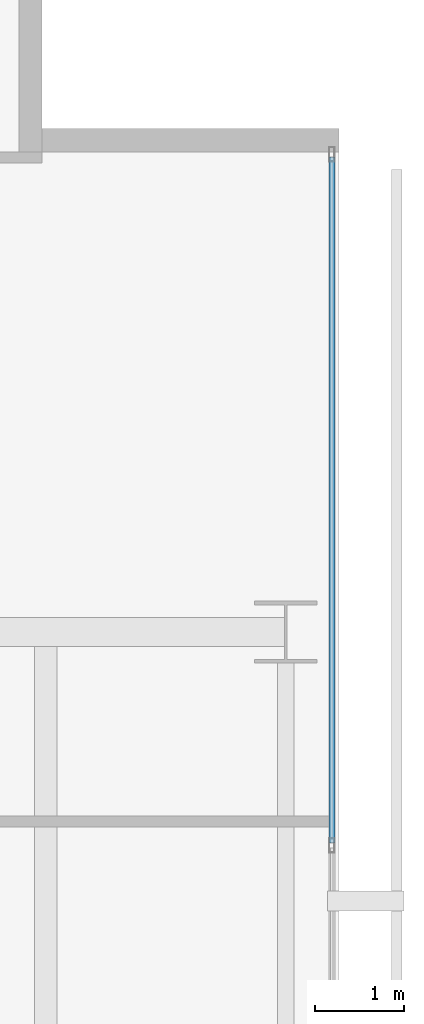
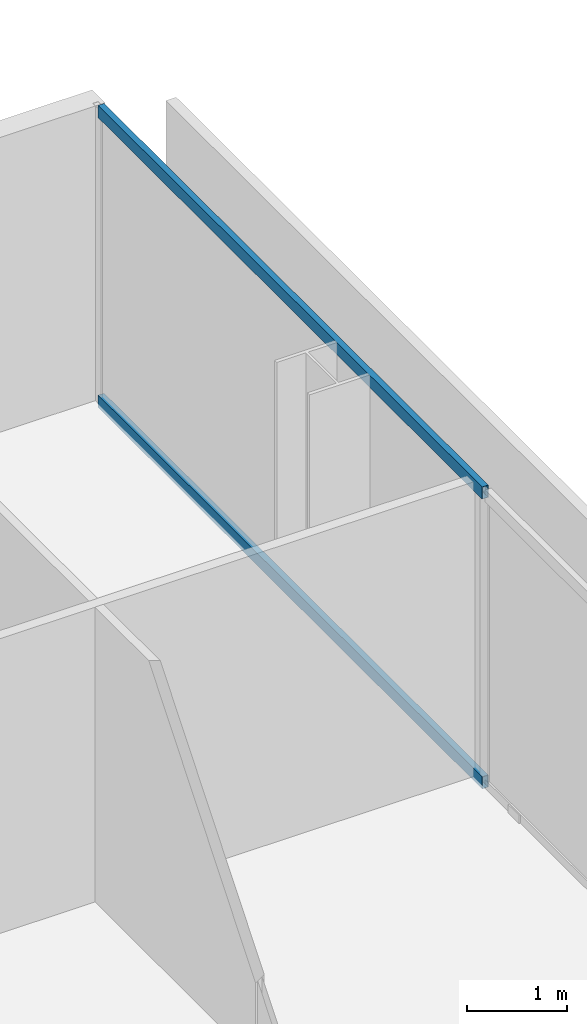
# One storey, part 29 of 40: 2 members, 1 element without a shape of its own.
"""IFC4 building model written with IfcOpenShell, lengths in metres."""

import ifcopenshell
import ifcopenshell.guid

model = None  # the IFC model being written
_history = None  # IfcOwnerHistory: only IFC2X3 demands one
_inside = {}  # id of a spatial element -> (the spatial element, [elements in it])
_under = {}  # id of a project, library or spatial element -> (it, [spatial elements below it])
_declared = {}  # id of a project -> (the project, [libraries it declares])
_typed = {}  # id of a type object -> (the type object, [elements of that type])
_made_of = {}  # id of a material, layer set ... -> (it, [elements and type objects made of it])


def new_model(schema):
    """Start an empty IFC model of exactly this schema.

    Asked for "IFC4X3", IfcOpenShell would pick the latest addendum, in which some entities
    have other attributes; the version numbers below select the first issue.
    IFC2X3 requires an IfcOwnerHistory on every rooted entity: one is made here for all.
    """
    global model, _history
    if schema == "IFC4X3":
        model = ifcopenshell.file(schema_version=(4, 3, 0, 0))
    else:
        model = ifcopenshell.file(schema=schema)
    _inside.clear()
    _under.clear()
    _declared.clear()
    _typed.clear()
    _made_of.clear()
    _history = None
    if model.schema == "IFC2X3":
        org = make("IfcOrganization", Name="unknown")
        user = make(
            "IfcPersonAndOrganization",
            ThePerson=make("IfcPerson", FamilyName="unknown"),
            TheOrganization=org,
        )
        app = make(
            "IfcApplication",
            ApplicationDeveloper=org,
            Version="unknown",
            ApplicationFullName="unknown",
            ApplicationIdentifier="unknown",
        )
        _history = make(
            "IfcOwnerHistory",
            OwningUser=user,
            OwningApplication=app,
            ChangeAction="ADDED",
            CreationDate=0,
        )
    return model


def make(cls, **values):
    """One entity of the class cls with the attributes given. An attribute that is None is left unset."""
    return model.create_entity(
        cls, **{name: value for name, value in values.items() if value is not None}
    )


def rooted(cls, **values):
    """An entity with a GlobalId (a new one), such as an element, a storey or a relation."""
    return make(cls, GlobalId=ifcopenshell.guid.new(), OwnerHistory=_history, **values)


def si_unit(unit_type, name, prefix=None):
    """IfcSIUnit, for example si_unit("LENGTHUNIT", "METRE", prefix="MILLI")."""
    return make("IfcSIUnit", UnitType=unit_type, Prefix=prefix, Name=name)


def assignment(units):
    """IfcUnitAssignment: the units of a project."""
    return None if units is None else make("IfcUnitAssignment", Units=units)


def point(xyz):
    """IfcCartesianPoint."""
    return None if xyz is None else make("IfcCartesianPoint", Coordinates=xyz)


def direction(xyz):
    """IfcDirection."""
    return None if xyz is None else make("IfcDirection", DirectionRatios=xyz)


def frame(location, z_axis=None, x_axis=None):
    """IfcAxis2Placement3D, a coordinate frame: its origin and axes. An axis left out is left unset."""
    return make(
        "IfcAxis2Placement3D",
        Location=point(location),
        Axis=direction(z_axis),
        RefDirection=direction(x_axis),
    )


def frame_2d(location, x_axis=None):
    """IfcAxis2Placement2D, a coordinate frame in the plane: its origin and x axis."""
    return make(
        "IfcAxis2Placement2D", Location=point(location), RefDirection=direction(x_axis)
    )


def origin():
    """The frame at (0, 0, 0) with its axes left unset."""
    return frame((0.0, 0.0, 0.0))


def origin_2d():
    """The frame at (0, 0) in the plane with its x axis left unset."""
    return frame_2d((0.0, 0.0))


def place(relative_to, where):
    """IfcLocalPlacement: puts the frame where relative to a parent placement (None: the world)."""
    return make(
        "IfcLocalPlacement", PlacementRelTo=relative_to, RelativePlacement=where
    )


def context(
    kind, dimensions, precision=None, world=None, true_north=None, identifier=None
):
    """IfcGeometricRepresentationContext, for example the 3D "Model" context."""
    return make(
        "IfcGeometricRepresentationContext",
        ContextIdentifier=identifier,
        ContextType=kind,
        CoordinateSpaceDimension=dimensions,
        Precision=precision,
        WorldCoordinateSystem=world,
        TrueNorth=true_north,
    )


def subcontext(parent, identifier, kind, view, scale=None):
    """IfcGeometricRepresentationSubContext, for example "Body" below "Model"."""
    return make(
        "IfcGeometricRepresentationSubContext",
        ContextIdentifier=identifier,
        ContextType=kind,
        ParentContext=parent,
        TargetScale=scale,
        TargetView=view,
    )


def project(units=None, contexts=None):
    """IfcProject with its units and contexts."""
    return rooted(
        "IfcProject",
        Name="project",
        RepresentationContexts=contexts,
        UnitsInContext=assignment(units),
    )


def spatial(cls, under=None, at=None, **own):
    """A site, building, storey or space (cls), placed at a placement, below another one or the project."""
    s = rooted(cls, ObjectPlacement=at, **own)
    if under is not None:
        _under.setdefault(under.id(), (under, []))[1].append(s)
    return s


def profile(cls, at=None, kind="AREA", **sizes):
    """A parametric profile (cls). Its sizes go by their IFC names, for example OverallWidth=200.0."""
    return make(cls, ProfileType=kind, Position=at, **sizes)


def hollow_rectangle(**sizes):
    """IfcRectangleHollowProfileDef."""
    return profile("IfcRectangleHollowProfileDef", **sizes)


def extrude(swept, where, along, depth):
    """IfcExtrudedAreaSolid: the profile swept, set in the frame where, extruded along a direction by depth."""
    return make(
        "IfcExtrudedAreaSolid",
        SweptArea=swept,
        Position=where,
        ExtrudedDirection=direction(along),
        Depth=depth,
    )


def shape(context_of_items, identifier, shape_type, items):
    """IfcShapeRepresentation: the items that make up one representation, for example the "Body"."""
    return make(
        "IfcShapeRepresentation",
        ContextOfItems=context_of_items,
        RepresentationIdentifier=identifier,
        RepresentationType=shape_type,
        Items=items,
    )


def material(Name=None, Category=None):
    """IfcMaterial."""
    return make("IfcMaterial", Name=Name, Category=Category)


def layer(
    of_material, thickness, ventilated=None, Name=None, Category=None, Priority=None
):
    """IfcMaterialLayer: one layer of a wall or slab, of a material (None: an air gap)."""
    return make(
        "IfcMaterialLayer",
        Material=of_material,
        LayerThickness=thickness,
        IsVentilated=ventilated,
        Name=Name,
        Category=Category,
        Priority=Priority,
    )


def layer_set(layers, Name=None):
    """IfcMaterialLayerSet."""
    return make("IfcMaterialLayerSet", MaterialLayers=layers, LayerSetName=Name)


def material_profile(
    of_material, cross_section, Name=None, Category=None, Priority=None
):
    """IfcMaterialProfile: a cross section and its material."""
    return make(
        "IfcMaterialProfile",
        Name=Name,
        Material=of_material,
        Profile=cross_section,
        Priority=Priority,
        Category=Category,
    )


def profile_set(profiles, Name=None, composite=None):
    """IfcMaterialProfileSet."""
    return make(
        "IfcMaterialProfileSet",
        Name=Name,
        MaterialProfiles=profiles,
        CompositeProfile=composite,
    )


def made_of(thing, what):
    """Note that an element or type object is made of a material, layer set ...; save() writes the relation."""
    if what is not None:
        _made_of.setdefault(what.id(), (what, []))[1].append(thing)
    return thing


def type_object(cls, material=None, **own):
    """A type object (cls), such as IfcWallType, which elements share."""
    return made_of(rooted(cls, **own), material)


def element(
    cls,
    number,
    at=None,
    inside=None,
    cuts=None,
    type_object=None,
    material=None,
    context=None,
    identifier="Body",
    shape_type=None,
    held_by="IfcProductDefinitionShape",
    body=None,
    shapes=None,
    **own,
):
    """One element of the class cls, such as IfcWall. Its Tag is "e" and its number.

    at: its placement. inside: the storey or other place that contains it. cuts: it is an
    opening in that element (IfcRelVoidsElement). A single representation is given by context,
    identifier, shape_type and body (its items); several are given by shapes. held_by: the class
    of the entity that holds the representations. save() writes the other relations.
    """
    e = rooted(cls, Tag="e%d" % number, ObjectPlacement=at, **own)
    if body is not None:
        shapes = [shape(context, identifier, shape_type, body)]
    if shapes is not None:
        e.Representation = make(held_by, Representations=shapes)
    if inside is not None:
        _inside.setdefault(inside.id(), (inside, []))[1].append(e)
    if cuts is not None:
        rooted(
            "IfcRelVoidsElement", RelatingBuildingElement=cuts, RelatedOpeningElement=e
        )
    if type_object is not None:
        _typed.setdefault(type_object.id(), (type_object, []))[1].append(e)
    return made_of(e, material)


def aggregate(whole, parts):
    """IfcRelAggregates: a whole, such as a stair, and the parts it consists of."""
    return rooted("IfcRelAggregates", RelatingObject=whole, RelatedObjects=parts)


def save(model, path):
    """Write the relations noted so far, then the file.

    IfcRelAggregates (storeys below a building ...), IfcRelContainedInSpatialStructure (elements
    in a storey), IfcRelDefinesByType, IfcRelAssociatesMaterial and IfcRelDeclares: one each for
    every whole, place, type object, material and project.
    """
    for whole, parts in _under.values():
        aggregate(whole, parts)
    for where, things in _inside.values():
        rooted(
            "IfcRelContainedInSpatialStructure",
            RelatedElements=things,
            RelatingStructure=where,
        )
    for kind, things in _typed.values():
        rooted("IfcRelDefinesByType", RelatedObjects=things, RelatingType=kind)
    for what, things in _made_of.values():
        rooted("IfcRelAssociatesMaterial", RelatedObjects=things, RelatingMaterial=what)
    for by, libraries in _declared.values():
        rooted("IfcRelDeclares", RelatingContext=by, RelatedDefinitions=libraries)
    model.write(path)


model = new_model("IFC4")

# Units and contexts
model_context = context("Model", 3, precision=1e-05, world=origin(), true_north=direction((0.0, 1.0)))
body_context = subcontext(model_context, "Body", "Model", "MODEL_VIEW")
ifc_project = project(units=[si_unit("LENGTHUNIT", "METRE"), si_unit("AREAUNIT", "SQUARE_METRE"), si_unit("VOLUMEUNIT", "CUBIC_METRE"), si_unit("PLANEANGLEUNIT", "RADIAN"), si_unit("MASSUNIT", "GRAM", prefix="KILO")], contexts=[model_context])

# Site, building, storey
site_placement = place(None, origin())
site = spatial("IfcSite", under=ifc_project, at=site_placement, CompositionType="ELEMENT")
building_placement = place(site_placement, origin())
building = spatial("IfcBuilding", under=site, at=building_placement, Name="Maruvema Waterfront Hotel and Observation Tower", CompositionType="ELEMENT")
storey_placement = place(building_placement, frame((0.0, 0.0, 42.35009765625)))
storey = spatial("IfcBuildingStorey", under=building, at=storey_placement, Name="L09", CompositionType="ELEMENT", Elevation=42.35009765625)

# Curtain wall, members
ifc_material_1 = material(Name="Anodised bronze aluminium and solar-control low-E IGU", Category="aluminium")
ifc_layer = layer(ifc_material_1, 0.159912109375, Name="Zone 1 Bronze Inner Thermal Curtain Wall System CW-02")
ifc_layer_set = layer_set([ifc_layer], Name="Anodised bronze aluminium and solar-control low-E IGU")
curtain_wall_type = type_object("IfcCurtainWallType", Name="Zone 1 Bronze Inner Thermal Curtain Wall System CW-02", PredefinedType="USERDEFINED", material=ifc_layer_set)
curtain_wall_placement = place(storey_placement, origin())
curtain_wall = element("IfcCurtainWall", 1, at=curtain_wall_placement, inside=storey, type_object=curtain_wall_type, Name="L09 Curtain Wall CW-L09-E", ObjectType="UNITISED CURTAIN WALL", PredefinedType="USERDEFINED")
ifc_material_2 = material(Name="Anodised architectural bronze aluminium", Category="aluminium")
ifc_material_profile = material_profile(ifc_material_2, hollow_rectangle(XDim=0.070068359375, YDim=0.14990234375, WallThickness=0.00390625, at=origin_2d()), Name="ALU-T70x150")
ifc_profile_set = profile_set([ifc_material_profile], Name="Anodised architectural bronze aluminium")
member_type = type_object("IfcMemberType", Name="Curtain Wall Horizontal Transom ALU-T70x150", PredefinedType="USERDEFINED", material=ifc_profile_set)
member_1_placement = place(storey_placement, frame((64.719970703125, 42.6298828125, 0.02978515625), z_axis=(0.0, 1.0, 0.0), x_axis=(-1.0, 0.0, 0.0)))
member_1 = element("IfcMember", 2, at=member_1_placement, type_object=member_type, Name="CW-02 transom 6.1", ObjectType="TRANSOM", PredefinedType="USERDEFINED", context=body_context, shape_type="SweptSolid", body=[
    extrude(hollow_rectangle(XDim=0.070068359375, YDim=0.14990234375, WallThickness=0.00390625, at=origin_2d()), origin(), (0.0, 0.0, 1.0), 7.710205078125),
])
member_2_placement = place(storey_placement, frame((64.719970703125, 42.6298828125, 3.579833984375), z_axis=(0.0, 1.0, 0.0), x_axis=(-1.0, 0.0, 0.0)))
member_2 = element("IfcMember", 3, at=member_2_placement, type_object=member_type, Name="CW-02 transom 6.2", ObjectType="TRANSOM", PredefinedType="USERDEFINED", context=body_context, shape_type="SweptSolid", body=[
    extrude(hollow_rectangle(XDim=0.070068359375, YDim=0.14990234375, WallThickness=0.00390625, at=origin_2d()), origin(), (0.0, 0.0, 1.0), 7.710205078125),
])
aggregate(curtain_wall, [member_1, member_2])

save(model, "model.ifc")
